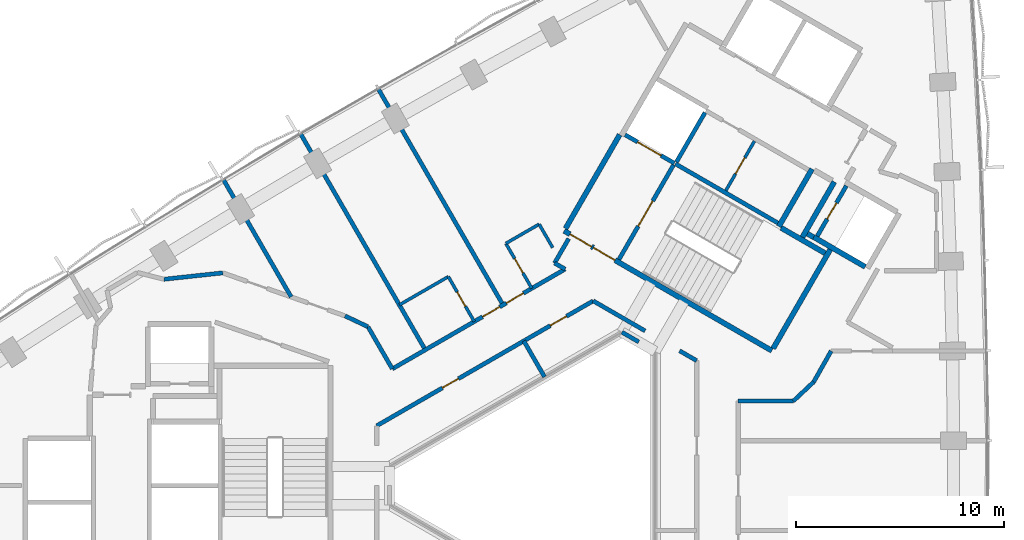
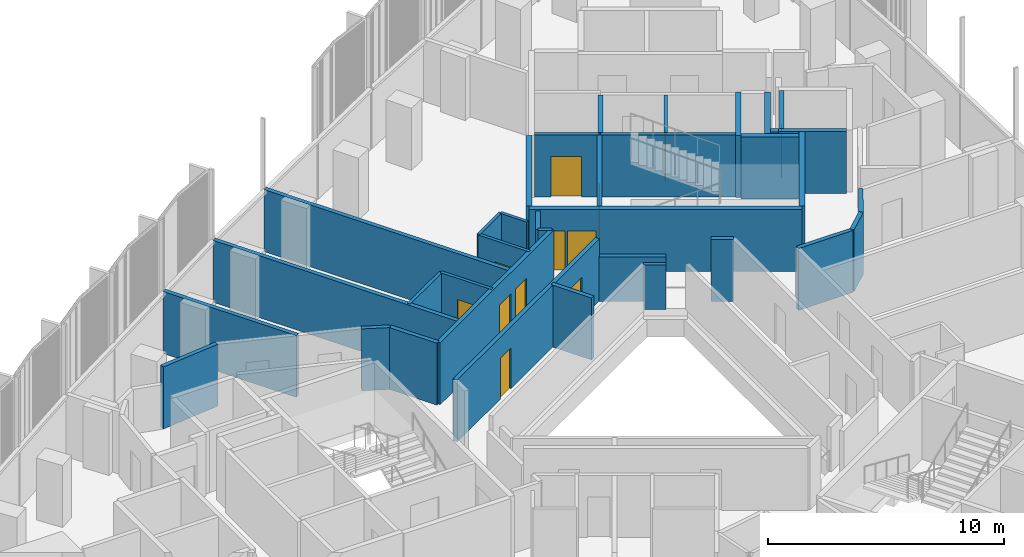
# One storey, part 11 of 15: 36 walls, 12 doors, 12 openings.
"""IFC4 building model written with IfcOpenShell, lengths in metres."""

from ifc_helpers import new_model, si_unit, direction, frame, frame_2d, origin, place, context, subcontext, project, spatial, rectangle, extrude, material, layer, layer_set, type_object, element, fill, save


model = new_model("IFC4")

# Units and contexts
model_context = context("Model", 3, precision=1e-05, world=origin(), true_north=direction((0.0, 1.0)))
body_context = subcontext(model_context, "Body", "Model", "MODEL_VIEW")
ifc_project = project(units=[si_unit("LENGTHUNIT", "METRE"), si_unit("AREAUNIT", "SQUARE_METRE"), si_unit("VOLUMEUNIT", "CUBIC_METRE"), si_unit("PLANEANGLEUNIT", "RADIAN"), si_unit("MASSUNIT", "GRAM", prefix="KILO")], contexts=[model_context])

# Site, building, storey
site_placement = place(None, origin())
site = spatial("IfcSite", under=ifc_project, at=site_placement, CompositionType="ELEMENT")
building_placement = place(site_placement, origin())
building = spatial("IfcBuilding", under=site, at=building_placement, Name="Tamra Quay Hotel Tower", CompositionType="ELEMENT")
storey_placement = place(building_placement, frame((0.0, 0.0, 128.800048828125)))
storey = spatial("IfcBuildingStorey", under=building, at=storey_placement, Name="L31", CompositionType="ELEMENT", Elevation=128.800048828125)

# Wall
ifc_material_1 = material(Name="Concrete M70", Category="concrete")
ifc_layer_1 = layer(ifc_material_1, 0.199951171875)
ifc_layer_set_1 = layer_set([ifc_layer_1], Name="Concrete M70 core wall 200")
wall_type_1 = type_object("IfcWallType", Name="Concrete M70 core wall 200", PredefinedType="SHEAR", material=ifc_layer_set_1)
wall_1_placement = place(storey_placement, frame((5.774658203125, 15.501953125, 0.0), z_axis=(0.0, 0.0, 1.0), x_axis=(0.866020080793, -0.500009219579, 0.0)))
element("IfcWall", 1, at=wall_1_placement, inside=storey, type_object=wall_type_1, Name="CW2", PredefinedType="SHEAR", context=body_context, shape_type="SweptSolid", body=[
    extrude(rectangle(XDim=5.69921875, YDim=0.199951171875, at=frame_2d((2.849609375, 0.0))), origin(), (0.0, 0.0, 1.0), 3.199951171875),
])

# Wall, opening, door
wall_2_placement = place(storey_placement, frame((3.056640625, 10.89453125, 0.0), z_axis=(0.0, 0.0, 1.0), x_axis=(0.499989418164, 0.866031513124, 0.0)))
wall_2 = element("IfcWall", 2, at=wall_2_placement, inside=storey, type_object=wall_type_1, Name="CW2", PredefinedType="SHEAR", context=body_context, shape_type="SweptSolid", body=[
    extrude(rectangle(XDim=5.2509765625, YDim=0.199951171875, at=frame_2d((2.62548828125, 0.0))), origin(), (0.0, 0.0, 1.0), 3.199951171875),
])
opening_1_placement = place(wall_2_placement, frame((1.84912109375, 0.0, 0.0)))
opening_1 = element("IfcOpeningElement", 3, at=opening_1_placement, cuts=wall_2, Name="Opening FD2", PredefinedType="OPENING", context=body_context, shape_type="SweptSolid", body=[
    extrude(rectangle(XDim=1.39990234375, YDim=2.10009765625, at=frame_2d((0.699951171875, 1.050048828125))), frame((0.0, 0.10986328125, 0.0), z_axis=(0.0, -1.0, 0.0), x_axis=(1.0, 0.0, 0.0)), (0.0, 0.0, 1.0), 0.219970703125),
])
ifc_material_2 = material(Name="Core door FD2 1400x2100 LH")
door_type_1 = type_object("IfcDoorType", Name="Core door FD2 1400x2100 LH", OperationType="NOTDEFINED", PredefinedType="DOOR", material=ifc_material_2)
door_1_placement = place(opening_1_placement, origin())
door_1 = element("IfcDoor", 4, at=door_1_placement, inside=storey, type_object=door_type_1, Name="FD2", OperationType="SINGLE_SWING_LEFT", OverallHeight=2.10009765625, OverallWidth=1.39990234375, PredefinedType="DOOR", context=body_context, shape_type="SweptSolid", body=[
    extrude(rectangle(XDim=1.39990234375, YDim=2.10009765625, at=frame_2d((0.699951171875, 1.050048828125))), frame((0.0, 0.02490234375, 0.0), z_axis=(0.0, -1.0, 0.0), x_axis=(1.0, 0.0, 0.0)), (0.0, 0.0, 1.0), 0.050048828125),
])
fill(opening_1, door_1)

wall_3_placement = place(storey_placement, frame((14.0078125, 14.442138671875, 0.0), z_axis=(0.0, 0.0, 1.0), x_axis=(-0.499986818241, -0.866033014143, 0.0)))
wall_3 = element("IfcWall", 5, at=wall_3_placement, inside=storey, type_object=wall_type_1, Name="CW2", PredefinedType="SHEAR", context=body_context, shape_type="SweptSolid", body=[
    extrude(rectangle(XDim=2.7978515625, YDim=0.199951171875, at=frame_2d((1.39892578125, 0.0))), origin(), (0.0, 0.0, 1.0), 3.199951171875),
])
opening_2_placement = place(wall_3_placement, frame((0.948974609375, 0.0, 0.0)))
opening_2 = element("IfcOpeningElement", 6, at=opening_2_placement, cuts=wall_3, Name="Opening D1", PredefinedType="OPENING", context=body_context, shape_type="SweptSolid", body=[
    extrude(rectangle(XDim=0.89990234375, YDim=2.10009765625, at=frame_2d((0.449951171875, 1.050048828125))), frame((0.0, 0.10986328125, 0.0), z_axis=(0.0, -1.0, 0.0), x_axis=(1.0, 0.0, 0.0)), (0.0, 0.0, 1.0), 0.219970703125),
])
ifc_material_3 = material(Name="Core door D1 900x2100 LH")
door_type_2 = type_object("IfcDoorType", Name="Core door D1 900x2100 LH", OperationType="NOTDEFINED", PredefinedType="DOOR", material=ifc_material_3)
door_2_placement = place(opening_2_placement, origin())
door_2 = element("IfcDoor", 7, at=door_2_placement, inside=storey, type_object=door_type_2, Name="D1", OperationType="SINGLE_SWING_LEFT", OverallHeight=2.10009765625, OverallWidth=0.89990234375, PredefinedType="DOOR", context=body_context, shape_type="SweptSolid", body=[
    extrude(rectangle(XDim=0.89990234375, YDim=2.10009765625, at=frame_2d((0.449951171875, 1.050048828125))), frame((0.0, 0.02490234375, 0.0), z_axis=(0.0, -1.0, 0.0), x_axis=(1.0, 0.0, 0.0)), (0.0, 0.0, 1.0), 0.050048828125),
])
fill(opening_2, door_2)

# Wall
wall_4_placement = place(storey_placement, frame((7.199462890625, 17.969970703125, 0.0), z_axis=(0.0, 0.0, 1.0), x_axis=(-0.499968400327, -0.866043647095, 0.0)))
element("IfcWall", 8, at=wall_4_placement, inside=storey, type_object=wall_type_1, Name="CW2", PredefinedType="SHEAR", context=body_context, shape_type="SweptSolid", body=[
    extrude(rectangle(XDim=2.749755859375, YDim=0.199951171875, at=frame_2d((1.375, 0.0))), origin(), (0.0, 0.0, 1.0), 3.199951171875),
])

# Wall, opening, door
wall_5_placement = place(storey_placement, frame((5.72509765625, 15.530517578125, 0.0), z_axis=(0.0, 0.0, 1.0), x_axis=(-0.866037306777, 0.499979382845, 0.0)))
wall_5 = element("IfcWall", 9, at=wall_5_placement, inside=storey, type_object=wall_type_1, Name="CW2", PredefinedType="SHEAR", context=body_context, shape_type="SweptSolid", body=[
    extrude(rectangle(XDim=2.74169921875, YDim=0.199951171875, at=frame_2d((1.370849609375, 0.0))), origin(), (0.0, 0.0, 1.0), 3.199951171875),
])
opening_3_placement = place(wall_5_placement, frame((0.742919921875, 0.0, 0.0)))
opening_3 = element("IfcOpeningElement", 10, at=opening_3_placement, cuts=wall_5, Name="Opening LD", PredefinedType="OPENING", context=body_context, shape_type="SweptSolid", body=[
    extrude(rectangle(XDim=1.300048828125, YDim=2.10009765625, at=frame_2d((0.64990234375, 1.050048828125))), frame((0.0, 0.10986328125, 0.0), z_axis=(0.0, -1.0, 0.0), x_axis=(1.0, 0.0, 0.0)), (0.0, 0.0, 1.0), 0.219970703125),
])
ifc_material_4 = material(Name="Landing door LD 1300 sliding to left")
door_type_3 = type_object("IfcDoorType", Name="Landing door LD 1300 sliding to left", OperationType="NOTDEFINED", PredefinedType="DOOR", material=ifc_material_4)
door_3_placement = place(opening_3_placement, origin())
door_3 = element("IfcDoor", 11, at=door_3_placement, inside=storey, type_object=door_type_3, Name="LD", OperationType="SLIDING_TO_LEFT", OverallHeight=2.10009765625, OverallWidth=1.300048828125, PredefinedType="DOOR", context=body_context, shape_type="SweptSolid", body=[
    extrude(rectangle(XDim=1.300048828125, YDim=2.10009765625, at=frame_2d((0.64990234375, 1.050048828125))), frame((0.0, 0.02490234375, 0.0), z_axis=(0.0, -1.0, 0.0), x_axis=(1.0, 0.0, 0.0)), (0.0, 0.0, 1.0), 0.050048828125),
])
fill(opening_3, door_3)

# Wall, openings, doors
ifc_layer_2 = layer(ifc_material_1, 0.25)
ifc_layer_set_2 = layer_set([ifc_layer_2], Name="Concrete M70 core wall 250")
wall_type_2 = type_object("IfcWallType", Name="Concrete M70 core wall 250", PredefinedType="SHEAR", material=ifc_layer_set_2)
wall_6_placement = place(storey_placement, frame((10.419921875, 6.497802734375, 0.0), z_axis=(0.0, 0.0, 1.0), x_axis=(-0.866021906294, 0.500006057782, 0.0)))
wall_6 = element("IfcWall", 12, at=wall_6_placement, inside=storey, type_object=wall_type_2, Name="CW1", PredefinedType="SHEAR", context=body_context, shape_type="SweptSolid", body=[
    extrude(rectangle(XDim=11.550048828125, YDim=0.25, at=frame_2d((5.77490234375, 0.0))), origin(), (0.0, 0.0, 1.0), 3.199951171875),
])
opening_4_placement = place(wall_6_placement, frame((10.02490234375, 0.0, 0.0)))
opening_4 = element("IfcOpeningElement", 13, at=opening_4_placement, cuts=wall_6, Name="Opening FD1", PredefinedType="OPENING", context=body_context, shape_type="SweptSolid", body=[
    extrude(rectangle(XDim=1.199951171875, YDim=2.10009765625, at=frame_2d((0.60009765625, 1.050048828125))), frame((0.0, 0.135009765625, 0.0), z_axis=(0.0, -1.0, 0.0), x_axis=(1.0, 0.0, 0.0)), (0.0, 0.0, 1.0), 0.27001953125),
])
opening_5_placement = place(wall_6_placement, frame((8.724853515625, 0.0, 0.0)))
opening_5 = element("IfcOpeningElement", 14, at=opening_5_placement, cuts=wall_6, Name="Opening FD1", PredefinedType="OPENING", context=body_context, shape_type="SweptSolid", body=[
    extrude(rectangle(XDim=1.199951171875, YDim=2.10009765625, at=frame_2d((0.60009765625, 1.050048828125))), frame((0.0, 0.135009765625, 0.0), z_axis=(0.0, -1.0, 0.0), x_axis=(1.0, 0.0, 0.0)), (0.0, 0.0, 1.0), 0.27001953125),
])
ifc_material_5 = material(Name="Core door FD1 1200x2100 LH")
door_type_4 = type_object("IfcDoorType", Name="Core door FD1 1200x2100 LH", OperationType="NOTDEFINED", PredefinedType="DOOR", material=ifc_material_5)
door_4_placement = place(opening_4_placement, origin())
door_4 = element("IfcDoor", 15, at=door_4_placement, inside=storey, type_object=door_type_4, Name="FD1", OperationType="SINGLE_SWING_LEFT", OverallHeight=2.10009765625, OverallWidth=1.199951171875, PredefinedType="DOOR", context=body_context, shape_type="SweptSolid", body=[
    extrude(rectangle(XDim=1.199951171875, YDim=2.10009765625, at=frame_2d((0.60009765625, 1.050048828125))), frame((0.0, 0.02490234375, 0.0), z_axis=(0.0, -1.0, 0.0), x_axis=(1.0, 0.0, 0.0)), (0.0, 0.0, 1.0), 0.050048828125),
])
fill(opening_4, door_4)
ifc_material_6 = material(Name="Core door FD1 1200x2100 RH")
door_type_5 = type_object("IfcDoorType", Name="Core door FD1 1200x2100 RH", OperationType="NOTDEFINED", PredefinedType="DOOR", material=ifc_material_6)
door_5_placement = place(opening_5_placement, origin())
door_5 = element("IfcDoor", 16, at=door_5_placement, inside=storey, type_object=door_type_5, Name="FD1", OperationType="SINGLE_SWING_RIGHT", OverallHeight=2.10009765625, OverallWidth=1.199951171875, PredefinedType="DOOR", context=body_context, shape_type="SweptSolid", body=[
    extrude(rectangle(XDim=1.199951171875, YDim=2.10009765625, at=frame_2d((0.60009765625, 1.050048828125))), frame((0.0, 0.02490234375, 0.0), z_axis=(0.0, -1.0, 0.0), x_axis=(1.0, 0.0, 0.0)), (0.0, 0.0, 1.0), 0.050048828125),
])
fill(opening_5, door_5)

# Walls
wall_7_placement = place(storey_placement, frame((0.47998046875, 12.38134765625, 0.0), z_axis=(0.0, 0.0, 1.0), x_axis=(0.49999885962, 0.866026062182, 0.0)))
element("IfcWall", 17, at=wall_7_placement, inside=storey, type_object=wall_type_2, Name="CW1", PredefinedType="SHEAR", context=body_context, shape_type="SweptSolid", body=[
    extrude(rectangle(XDim=5.224609375, YDim=0.25, at=frame_2d((2.6123046875, 0.0))), origin(), (0.0, 0.0, 1.0), 3.199951171875),
])
wall_8_placement = place(storey_placement, frame((13.237548828125, 11.3779296875, 0.0), z_axis=(0.0, 0.0, 1.0), x_axis=(-0.500008851346, -0.866020293397, 0.0)))
element("IfcWall", 18, at=wall_8_placement, inside=storey, type_object=wall_type_2, Name="CW1", PredefinedType="SHEAR", context=body_context, shape_type="SweptSolid", body=[
    extrude(rectangle(XDim=5.509765625, YDim=0.25, at=frame_2d((2.7548828125, 0.0))), origin(), (0.0, 0.0, 1.0), 3.199951171875),
])
wall_9_placement = place(storey_placement, frame((12.356689453125, 15.25244140625, 0.0), z_axis=(0.0, 0.0, 1.0), x_axis=(-0.500028443584, -0.866008981251, 0.0)))
element("IfcWall", 19, at=wall_9_placement, inside=storey, type_object=wall_type_2, Name="CW1", PredefinedType="SHEAR", context=body_context, shape_type="SweptSolid", body=[
    extrude(rectangle(XDim=3.199951171875, YDim=0.25, at=frame_2d((1.60009765625, 0.0))), origin(), (0.0, 0.0, 1.0), 3.199951171875),
])
wall_10_placement = place(storey_placement, frame((14.91845703125, 10.540283203125, 0.0), z_axis=(0.0, 0.0, 1.0), x_axis=(-0.866063538972, 0.499933942099, 0.0)))
element("IfcWall", 20, at=wall_10_placement, inside=storey, type_object=wall_type_2, Name="CW1", PredefinedType="SHEAR", context=body_context, shape_type="SweptSolid", body=[
    extrude(rectangle(XDim=2.86474609375, YDim=0.25, at=frame_2d((1.432373046875, 0.0))), origin(), (0.0, 0.0, 1.0), 3.199951171875),
])
wall_11_placement = place(storey_placement, frame((11.887939453125, 11.960693359375, 0.0), z_axis=(0.0, 0.0, 1.0), x_axis=(0.500003324108, 0.866023484601, 0.0)))
element("IfcWall", 21, at=wall_11_placement, inside=storey, type_object=wall_type_2, Name="CW1", PredefinedType="SHEAR", context=body_context, shape_type="SweptSolid", body=[
    extrude(rectangle(XDim=3.0849609375, YDim=0.25, at=frame_2d((1.54248046875, 0.0))), origin(), (0.0, 0.0, 1.0), 3.199951171875),
])
wall_12_placement = place(storey_placement, frame((10.865234375, 12.41845703125, 0.0), z_axis=(0.0, 0.0, 1.0), x_axis=(0.866026229868, -0.499998569178, 0.0)))
element("IfcWall", 22, at=wall_12_placement, inside=storey, type_object=wall_type_2, Name="CW1", PredefinedType="SHEAR", context=body_context, shape_type="SweptSolid", body=[
    extrude(rectangle(XDim=2.44921875, YDim=0.25, at=frame_2d((1.224609375, 0.0))), origin(), (0.0, 0.0, 1.0), 3.199951171875),
])
wall_13_placement = place(storey_placement, frame((12.4326171875, 11.9638671875, 0.0), z_axis=(0.0, 0.0, 1.0), x_axis=(-0.866055875208, 0.499947218231, 0.0)))
element("IfcWall", 23, at=wall_13_placement, inside=storey, type_object=wall_type_2, Name="CW1", PredefinedType="SHEAR", context=body_context, shape_type="SweptSolid", body=[
    extrude(rectangle(XDim=0.3447265625, YDim=0.25, at=frame_2d((0.17236328125, 0.0))), origin(), (0.0, 0.0, 1.0), 3.199951171875),
])

# Wall, opening, door
ifc_material_7 = material(Name="Blockwork", Category="masonry")
ifc_layer_3 = layer(ifc_material_7, 0.14990234375)
ifc_layer_set_3 = layer_set([ifc_layer_3], Name="Core partition block 150")
wall_type_3 = type_object("IfcWallType", Name="Core partition block 150", PredefinedType="PARTITIONING", material=ifc_layer_set_3)
wall_14_placement = place(storey_placement, frame((8.20654296875, 14.214111328125, 0.0), z_axis=(0.0, 0.0, 1.0), x_axis=(0.499922376475, 0.866070215109, 0.0)))
wall_14 = element("IfcWall", 24, at=wall_14_placement, inside=storey, type_object=wall_type_3, Name="CP1", PredefinedType="PARTITIONING", context=body_context, shape_type="SweptSolid", body=[
    extrude(rectangle(XDim=2.74853515625, YDim=0.14990234375, at=frame_2d((1.374267578125, 0.0))), origin(), (0.0, 0.0, 1.0), 3.199951171875),
])
opening_6_placement = place(wall_14_placement, frame((0.92431640625, 0.0, 0.0)))
opening_6 = element("IfcOpeningElement", 25, at=opening_6_placement, cuts=wall_14, Name="Opening D2", PredefinedType="OPENING", context=body_context, shape_type="SweptSolid", body=[
    extrude(rectangle(XDim=0.89990234375, YDim=2.10009765625, at=frame_2d((0.449951171875, 1.050048828125))), frame((0.0, 0.0849609375, 0.0), z_axis=(0.0, -1.0, 0.0), x_axis=(1.0, 0.0, 0.0)), (0.0, 0.0, 1.0), 0.169921875),
])
ifc_material_8 = material(Name="Core door D2 900x2100 RH")
door_type_6 = type_object("IfcDoorType", Name="Core door D2 900x2100 RH", OperationType="NOTDEFINED", PredefinedType="DOOR", material=ifc_material_8)
door_6_placement = place(opening_6_placement, origin())
door_6 = element("IfcDoor", 26, at=door_6_placement, inside=storey, type_object=door_type_6, Name="D2", OperationType="SINGLE_SWING_RIGHT", OverallHeight=2.10009765625, OverallWidth=0.89990234375, PredefinedType="DOOR", context=body_context, shape_type="SweptSolid", body=[
    extrude(rectangle(XDim=0.89990234375, YDim=2.10009765625, at=frame_2d((0.449951171875, 1.050048828125))), frame((0.0, 0.02490234375, 0.0), z_axis=(0.0, -1.0, 0.0), x_axis=(1.0, 0.0, 0.0)), (0.0, 0.0, 1.0), 0.050048828125),
])
fill(opening_6, door_6)

# Walls
ifc_material_9 = material(Name="Partition corridor wall")
ifc_layer_4 = layer(ifc_material_9, 0.199951171875)
ifc_layer_set_4 = layer_set([ifc_layer_4], Name="Partition corridor wall")
wall_type_4 = type_object("IfcWallType", Name="Partition corridor wall", PredefinedType="PARTITIONING", material=ifc_layer_set_4)
wall_15_placement = place(storey_placement, frame((-18.864990234375, 9.94091796875, 0.0), z_axis=(0.0, 0.0, 1.0), x_axis=(0.99423123086, 0.107257911519, 0.0)))
element("IfcWall", 27, at=wall_15_placement, inside=storey, type_object=wall_type_4, Name="W-C", PredefinedType="PARTITIONING", context=body_context, shape_type="SweptSolid", body=[
    extrude(rectangle(XDim=2.854248046875, YDim=0.199951171875, at=frame_2d((1.42724609375, 0.0))), origin(), (0.0, 0.0, 1.0), 3.199951171875),
])
wall_16_placement = place(storey_placement, frame((-10.14111328125, 8.176025390625, 0.0), z_axis=(0.0, 0.0, 1.0), x_axis=(0.903904169039, -0.427735026849, 0.0)))
element("IfcWall", 28, at=wall_16_placement, inside=storey, type_object=wall_type_4, Name="W-C", PredefinedType="PARTITIONING", context=body_context, shape_type="SweptSolid", body=[
    extrude(rectangle(XDim=1.224853515625, YDim=0.199951171875, at=frame_2d((0.6123046875, 0.0))), origin(), (0.0, 0.0, 1.0), 3.199951171875),
])
wall_17_placement = place(storey_placement, frame((-9.032958984375, 7.65087890625, 0.0), z_axis=(0.0, 0.0, 1.0), x_axis=(0.500354010599, -0.865820919173, 0.0)))
element("IfcWall", 29, at=wall_17_placement, inside=storey, type_object=wall_type_4, Name="W-C", PredefinedType="PARTITIONING", context=body_context, shape_type="SweptSolid", body=[
    extrude(rectangle(XDim=2.342041015625, YDim=0.199951171875, at=frame_2d((1.1708984375, 0.0))), origin(), (0.0, 0.0, 1.0), 3.199951171875),
])

# Wall, openings, doors
wall_18_placement = place(storey_placement, frame((-8.61279296875, 2.88134765625, 0.0), z_axis=(0.0, 0.0, 1.0), x_axis=(0.866103179807, 0.499865263774, 0.0)))
wall_18 = element("IfcWall", 30, at=wall_18_placement, inside=storey, type_object=wall_type_4, Name="W-C", PredefinedType="PARTITIONING", context=body_context, shape_type="SweptSolid", body=[
    extrude(rectangle(XDim=12.036376953125, YDim=0.199951171875, at=frame_2d((6.01806640625, 0.0))), origin(), (0.0, 0.0, 1.0), 3.199951171875),
])
opening_7_placement = place(wall_18_placement, frame((9.65185546875, 0.0, 0.0)))
opening_7 = element("IfcOpeningElement", 31, at=opening_7_placement, cuts=wall_18, Name="Opening L31-D026", PredefinedType="OPENING", context=body_context, shape_type="SweptSolid", body=[
    extrude(rectangle(XDim=0.89990234375, YDim=2.10009765625, at=frame_2d((0.449951171875, 1.050048828125))), frame((0.0, 0.10986328125, 0.0), z_axis=(0.0, -1.0, 0.0), x_axis=(1.0, 0.0, 0.0)), (0.0, 0.0, 1.0), 0.219970703125),
])
opening_8_placement = place(wall_18_placement, frame((3.6455078125, 0.0, 0.0)))
opening_8 = element("IfcOpeningElement", 32, at=opening_8_placement, cuts=wall_18, Name="Opening L31-D027", PredefinedType="OPENING", context=body_context, shape_type="SweptSolid", body=[
    extrude(rectangle(XDim=0.89990234375, YDim=2.10009765625, at=frame_2d((0.449951171875, 1.050048828125))), frame((0.0, 0.10986328125, 0.0), z_axis=(0.0, -1.0, 0.0), x_axis=(1.0, 0.0, 0.0)), (0.0, 0.0, 1.0), 0.219970703125),
])
ifc_material_10 = material(Name="Door service room 900x2100")
door_type_7 = type_object("IfcDoorType", Name="Door service room 900x2100", OperationType="NOTDEFINED", PredefinedType="DOOR", material=ifc_material_10)
door_7_placement = place(opening_7_placement, frame((0.89990234375, 0.0, 0.0), z_axis=(0.0, 0.0, 1.0), x_axis=(-1.0, 0.0, 0.0)))
door_7 = element("IfcDoor", 33, at=door_7_placement, inside=storey, type_object=door_type_7, Name="L31-D026", OperationType="SINGLE_SWING_LEFT", OverallHeight=2.10009765625, OverallWidth=0.89990234375, PredefinedType="DOOR", context=body_context, shape_type="SweptSolid", body=[
    extrude(rectangle(XDim=0.89990234375, YDim=2.10009765625, at=frame_2d((0.449951171875, 1.050048828125))), frame((0.0, 0.02490234375, 0.0), z_axis=(0.0, -1.0, 0.0), x_axis=(1.0, 0.0, 0.0)), (0.0, 0.0, 1.0), 0.050048828125),
])
fill(opening_7, door_7)
door_8_placement = place(opening_8_placement, frame((0.89990234375, 0.0, 0.0), z_axis=(0.0, 0.0, 1.0), x_axis=(-1.0, 0.0, 0.0)))
door_8 = element("IfcDoor", 34, at=door_8_placement, inside=storey, type_object=door_type_7, Name="L31-D027", OperationType="SINGLE_SWING_LEFT", OverallHeight=2.10009765625, OverallWidth=0.89990234375, PredefinedType="DOOR", context=body_context, shape_type="SweptSolid", body=[
    extrude(rectangle(XDim=0.89990234375, YDim=2.10009765625, at=frame_2d((0.449951171875, 1.050048828125))), frame((0.0, 0.02490234375, 0.0), z_axis=(0.0, -1.0, 0.0), x_axis=(1.0, 0.0, 0.0)), (0.0, 0.0, 1.0), 0.050048828125),
])
fill(opening_8, door_8)

wall_19_placement = place(storey_placement, frame((-7.861572265625, 5.624267578125, 0.0), z_axis=(0.0, 0.0, 1.0), x_axis=(0.866109024618, 0.499855136491, 0.0)))
wall_19 = element("IfcWall", 35, at=wall_19_placement, inside=storey, type_object=wall_type_4, Name="W-C", PredefinedType="PARTITIONING", context=body_context, shape_type="SweptSolid", body=[
    extrude(rectangle(XDim=9.610107421875, YDim=0.199951171875, at=frame_2d((4.80517578125, 0.0))), origin(), (0.0, 0.0, 1.0), 3.199951171875),
])
opening_9_placement = place(wall_19_placement, frame((6.345458984375, 0.0, 0.0)))
opening_9 = element("IfcOpeningElement", 36, at=opening_9_placement, cuts=wall_19, Name="Opening L31-D006", PredefinedType="OPENING", context=body_context, shape_type="SweptSolid", body=[
    extrude(rectangle(XDim=0.949951171875, YDim=2.10009765625, at=frame_2d((0.47509765625, 1.050048828125))), frame((0.0, 0.10986328125, 0.0), z_axis=(0.0, -1.0, 0.0), x_axis=(1.0, 0.0, 0.0)), (0.0, 0.0, 1.0), 0.219970703125),
])
opening_10_placement = place(wall_19_placement, frame((5.019775390625, 0.0, 0.0)))
opening_10 = element("IfcOpeningElement", 37, at=opening_10_placement, cuts=wall_19, Name="Opening L31-D008", PredefinedType="OPENING", context=body_context, shape_type="SweptSolid", body=[
    extrude(rectangle(XDim=0.949951171875, YDim=2.10009765625, at=frame_2d((0.47509765625, 1.050048828125))), frame((0.0, 0.10986328125, 0.0), z_axis=(0.0, -1.0, 0.0), x_axis=(1.0, 0.0, 0.0)), (0.0, 0.0, 1.0), 0.219970703125),
])
ifc_material_11 = material(Name="Door guest room 950x2100")
door_type_8 = type_object("IfcDoorType", Name="Door guest room 950x2100", OperationType="NOTDEFINED", PredefinedType="DOOR", material=ifc_material_11)
door_9_placement = place(opening_9_placement, origin())
door_9 = element("IfcDoor", 38, at=door_9_placement, inside=storey, type_object=door_type_8, Name="L31-D006", OperationType="SINGLE_SWING_LEFT", OverallHeight=2.10009765625, OverallWidth=0.949951171875, PredefinedType="DOOR", context=body_context, shape_type="SweptSolid", body=[
    extrude(rectangle(XDim=0.949951171875, YDim=2.10009765625, at=frame_2d((0.47509765625, 1.050048828125))), frame((0.0, 0.02490234375, 0.0), z_axis=(0.0, -1.0, 0.0), x_axis=(1.0, 0.0, 0.0)), (0.0, 0.0, 1.0), 0.050048828125),
])
fill(opening_9, door_9)
door_10_placement = place(opening_10_placement, origin())
door_10 = element("IfcDoor", 39, at=door_10_placement, inside=storey, type_object=door_type_8, Name="L31-D008", OperationType="SINGLE_SWING_LEFT", OverallHeight=2.10009765625, OverallWidth=0.949951171875, PredefinedType="DOOR", context=body_context, shape_type="SweptSolid", body=[
    extrude(rectangle(XDim=0.949951171875, YDim=2.10009765625, at=frame_2d((0.47509765625, 1.050048828125))), frame((0.0, 0.02490234375, 0.0), z_axis=(0.0, -1.0, 0.0), x_axis=(1.0, 0.0, 0.0)), (0.0, 0.0, 1.0), 0.050048828125),
])
fill(opening_10, door_10)

# Walls
wall_20_placement = place(storey_placement, frame((-0.044921875, 10.720947265625, 0.0), z_axis=(0.0, 0.0, 1.0), x_axis=(0.865768710998, -0.500444341617, 0.0)))
element("IfcWall", 40, at=wall_20_placement, inside=storey, type_object=wall_type_4, Name="W-C", PredefinedType="PARTITIONING", context=body_context, shape_type="SweptSolid", body=[
    extrude(rectangle(XDim=0.58544921875, YDim=0.199951171875, at=frame_2d((0.292724609375, 0.0))), origin(), (0.0, 0.0, 1.0), 3.199951171875),
])
wall_21_placement = place(storey_placement, frame((-0.04443359375, 10.7216796875, 0.0), z_axis=(0.0, 0.0, 1.0), x_axis=(0.500034408226, 0.866005537274, 0.0)))
element("IfcWall", 41, at=wall_21_placement, inside=storey, type_object=wall_type_4, Name="W-C", PredefinedType="PARTITIONING", context=body_context, shape_type="SweptSolid", body=[
    extrude(rectangle(XDim=1.35498046875, YDim=0.199951171875, at=frame_2d((0.677490234375, 0.0))), origin(), (0.0, 0.0, 1.0), 3.199951171875),
])
wall_22_placement = place(storey_placement, frame((1.812744140625, 8.899169921875, 0.0), z_axis=(0.0, 0.0, 1.0), x_axis=(0.865957732194, -0.50011719232, 0.0)))
element("IfcWall", 42, at=wall_22_placement, inside=storey, type_object=wall_type_4, Name="W-C", PredefinedType="PARTITIONING", context=body_context, shape_type="SweptSolid", body=[
    extrude(rectangle(XDim=2.890869140625, YDim=0.199951171875, at=frame_2d((1.4453125, 0.0))), origin(), (0.0, 0.0, 1.0), 2.300048828125),
])
wall_23_placement = place(storey_placement, frame((5.97412109375, 6.49609375, 0.0), z_axis=(0.0, 0.0, 1.0), x_axis=(0.865934055563, -0.500158186394, 0.0)))
element("IfcWall", 43, at=wall_23_placement, inside=storey, type_object=wall_type_4, Name="W-C", PredefinedType="PARTITIONING", context=body_context, shape_type="SweptSolid", body=[
    extrude(rectangle(XDim=0.953857421875, YDim=0.199951171875, at=frame_2d((0.47705078125, 0.0))), origin(), (0.0, 0.0, 1.0), 3.199951171875),
])
wall_24_placement = place(storey_placement, frame((8.800048828125, 4.077880859375, 0.0), z_axis=(0.0, 0.0, 1.0), x_axis=(1.0, 0.0, 0.0)))
element("IfcWall", 44, at=wall_24_placement, inside=storey, type_object=wall_type_4, Name="W-C", PredefinedType="PARTITIONING", context=body_context, shape_type="SweptSolid", body=[
    extrude(rectangle(XDim=2.657958984375, YDim=0.199951171875, at=frame_2d((1.3291015625, 0.0))), origin(), (0.0, 0.0, 1.0), 3.199951171875),
])
wall_25_placement = place(storey_placement, frame((11.4580078125, 4.077880859375, 0.0), z_axis=(0.0, 0.0, 1.0), x_axis=(0.729936032318, 0.683515463412, 0.0)))
element("IfcWall", 45, at=wall_25_placement, inside=storey, type_object=wall_type_4, Name="W-C", PredefinedType="PARTITIONING", context=body_context, shape_type="SweptSolid", body=[
    extrude(rectangle(XDim=1.3359375, YDim=0.199951171875, at=frame_2d((0.66796875, 0.0))), origin(), (0.0, 0.0, 1.0), 3.199951171875),
])
wall_26_placement = place(storey_placement, frame((12.43310546875, 4.991943359375, 0.0), z_axis=(0.0, 0.0, 1.0), x_axis=(0.492807777065, 0.870138204462, 0.0)))
element("IfcWall", 46, at=wall_26_placement, inside=storey, type_object=wall_type_4, Name="W-C", PredefinedType="PARTITIONING", context=body_context, shape_type="SweptSolid", body=[
    extrude(rectangle(XDim=1.714599609375, YDim=0.199951171875, at=frame_2d((0.857421875, 0.0))), origin(), (0.0, 0.0, 1.0), 3.199951171875),
])
ifc_material_12 = material(Name="Partition en-suite wall")
ifc_layer_5 = layer(ifc_material_12, 0.14990234375)
ifc_layer_set_5 = layer_set([ifc_layer_5], Name="Partition en-suite wall")
wall_type_5 = type_object("IfcWallType", Name="Partition en-suite wall", PredefinedType="PARTITIONING", material=ifc_layer_set_5)
wall_27_placement = place(storey_placement, frame((-7.521728515625, 8.704345703125, 0.0), z_axis=(0.0, 0.0, 1.0), x_axis=(0.865972067821, 0.500092369221, 0.0)))
element("IfcWall", 47, at=wall_27_placement, inside=storey, type_object=wall_type_5, Name="W-E", PredefinedType="PARTITIONING", context=body_context, shape_type="SweptSolid", body=[
    extrude(rectangle(XDim=2.72314453125, YDim=0.14990234375, at=frame_2d((1.361572265625, 0.0))), origin(), (0.0, 0.0, 1.0), 3.199951171875),
])

# Wall, opening, door
wall_28_placement = place(storey_placement, frame((-5.1640625, 10.06689453125, 0.0), z_axis=(0.0, 0.0, 1.0), x_axis=(0.500046524342, -0.865998541277, 0.0)))
wall_28 = element("IfcWall", 48, at=wall_28_placement, inside=storey, type_object=wall_type_5, Name="W-E", PredefinedType="PARTITIONING", context=body_context, shape_type="SweptSolid", body=[
    extrude(rectangle(XDim=2.499755859375, YDim=0.14990234375, at=frame_2d((1.25, 0.0))), origin(), (0.0, 0.0, 1.0), 3.199951171875),
])
opening_11_placement = place(wall_28_placement, frame((0.850341796875, 0.0, 0.0)))
opening_11 = element("IfcOpeningElement", 49, at=opening_11_placement, cuts=wall_28, Name="Opening L31-D009", PredefinedType="OPENING", context=body_context, shape_type="SweptSolid", body=[
    extrude(rectangle(XDim=0.800048828125, YDim=2.10009765625, at=frame_2d((0.39990234375, 1.050048828125))), frame((0.0, 0.0849609375, 0.0), z_axis=(0.0, -1.0, 0.0), x_axis=(1.0, 0.0, 0.0)), (0.0, 0.0, 1.0), 0.169921875),
])
ifc_material_13 = material(Name="Door en-suite 800x2100")
door_type_9 = type_object("IfcDoorType", Name="Door en-suite 800x2100", OperationType="NOTDEFINED", PredefinedType="DOOR", material=ifc_material_13)
door_11_placement = place(opening_11_placement, frame((0.800048828125, 0.0, 0.0), z_axis=(0.0, 0.0, 1.0), x_axis=(-1.0, 0.0, 0.0)))
door_11 = element("IfcDoor", 50, at=door_11_placement, inside=storey, type_object=door_type_9, Name="L31-D009", OperationType="SINGLE_SWING_LEFT", OverallHeight=2.10009765625, OverallWidth=0.800048828125, PredefinedType="DOOR", context=body_context, shape_type="SweptSolid", body=[
    extrude(rectangle(XDim=0.800048828125, YDim=2.10009765625, at=frame_2d((0.39990234375, 1.050048828125))), frame((0.0, 0.02490234375, 0.0), z_axis=(0.0, -1.0, 0.0), x_axis=(1.0, 0.0, 0.0)), (0.0, 0.0, 1.0), 0.050048828125),
])
fill(opening_11, door_11)

wall_29_placement = place(storey_placement, frame((-2.39111328125, 11.6650390625, 0.0), z_axis=(0.0, 0.0, 1.0), x_axis=(0.500049599607, -0.865996765544, 0.0)))
wall_29 = element("IfcWall", 51, at=wall_29_placement, inside=storey, type_object=wall_type_5, Name="W-E", PredefinedType="PARTITIONING", context=body_context, shape_type="SweptSolid", body=[
    extrude(rectangle(XDim=2.497802734375, YDim=0.14990234375, at=frame_2d((1.2490234375, 0.0))), origin(), (0.0, 0.0, 1.0), 3.199951171875),
])
opening_12_placement = place(wall_29_placement, frame((0.84765625, 0.0, 0.0)))
opening_12 = element("IfcOpeningElement", 52, at=opening_12_placement, cuts=wall_29, Name="Opening L31-D007", PredefinedType="OPENING", context=body_context, shape_type="SweptSolid", body=[
    extrude(rectangle(XDim=0.800048828125, YDim=2.10009765625, at=frame_2d((0.39990234375, 1.050048828125))), frame((0.0, 0.0849609375, 0.0), z_axis=(0.0, -1.0, 0.0), x_axis=(1.0, 0.0, 0.0)), (0.0, 0.0, 1.0), 0.169921875),
])
door_12_placement = place(opening_12_placement, origin())
door_12 = element("IfcDoor", 53, at=door_12_placement, inside=storey, type_object=door_type_9, Name="L31-D007", OperationType="SINGLE_SWING_LEFT", OverallHeight=2.10009765625, OverallWidth=0.800048828125, PredefinedType="DOOR", context=body_context, shape_type="SweptSolid", body=[
    extrude(rectangle(XDim=0.800048828125, YDim=2.10009765625, at=frame_2d((0.39990234375, 1.050048828125))), frame((0.0, 0.02490234375, 0.0), z_axis=(0.0, -1.0, 0.0), x_axis=(1.0, 0.0, 0.0)), (0.0, 0.0, 1.0), 0.050048828125),
])
fill(opening_12, door_12)

# Walls
wall_30_placement = place(storey_placement, frame((-2.389892578125, 11.66796875, 0.0), z_axis=(0.0, 0.0, 1.0), x_axis=(0.865932482239, 0.500160910312, 0.0)))
element("IfcWall", 54, at=wall_30_placement, inside=storey, type_object=wall_type_5, Name="W-E", PredefinedType="PARTITIONING", context=body_context, shape_type="SweptSolid", body=[
    extrude(rectangle(XDim=1.84765625, YDim=0.14990234375, at=frame_2d((0.923828125, 0.0))), origin(), (0.0, 0.0, 1.0), 3.199951171875),
])
wall_31_placement = place(storey_placement, frame((-0.787109375, 12.591064453125, 0.0), z_axis=(0.0, 0.0, 1.0), x_axis=(0.499749509877, -0.866169976031, 0.0)))
element("IfcWall", 55, at=wall_31_placement, inside=storey, type_object=wall_type_5, Name="W-E", PredefinedType="PARTITIONING", context=body_context, shape_type="SweptSolid", body=[
    extrude(rectangle(XDim=1.302001953125, YDim=0.14990234375, at=frame_2d((0.65087890625, 0.0))), origin(), (0.0, 0.0, 1.0), 3.199951171875),
])
ifc_material_14 = material(Name="Partition party wall")
ifc_layer_6 = layer(ifc_material_14, 0.199951171875)
ifc_layer_set_6 = layer_set([ifc_layer_6], Name="Partition party wall")
wall_type_6 = type_object("IfcWallType", Name="Partition party wall", PredefinedType="PARTITIONING", material=ifc_layer_set_6)
wall_32_placement = place(storey_placement, frame((-15.996337890625, 14.73974609375, 0.0), z_axis=(0.0, 0.0, 1.0), x_axis=(0.499925398456, -0.866068470722, 0.0)))
element("IfcWall", 56, at=wall_32_placement, inside=storey, type_object=wall_type_6, Name="W-P", PredefinedType="PARTITIONING", context=body_context, shape_type="SweptSolid", body=[
    extrude(rectangle(XDim=6.52587890625, YDim=0.199951171875, at=frame_2d((3.262939453125, 0.0))), origin(), (0.0, 0.0, 1.0), 3.199951171875),
])
wall_33_placement = place(storey_placement, frame((-12.278564453125, 16.94580078125, 0.0), z_axis=(0.0, 0.0, 1.0), x_axis=(0.499902454835, -0.866081714187, 0.0)))
element("IfcWall", 57, at=wall_33_placement, inside=storey, type_object=wall_type_6, Name="W-P", PredefinedType="PARTITIONING", context=body_context, shape_type="SweptSolid", body=[
    extrude(rectangle(XDim=12.01513671875, YDim=0.199951171875, at=frame_2d((6.007568359375, 0.0))), origin(), (0.0, 0.0, 1.0), 3.199951171875),
])
wall_34_placement = place(storey_placement, frame((-8.535400390625, 19.10693359375, 0.0), z_axis=(0.0, 0.0, 1.0), x_axis=(0.499972843048, -0.86604108229, 0.0)))
element("IfcWall", 58, at=wall_34_placement, inside=storey, type_object=wall_type_6, Name="W-P", PredefinedType="PARTITIONING", context=body_context, shape_type="SweptSolid", body=[
    extrude(rectangle(XDim=12.013427734375, YDim=0.199951171875, at=frame_2d((6.0068359375, 0.0))), origin(), (0.0, 0.0, 1.0), 3.199951171875),
])
wall_35_placement = place(storey_placement, frame((-1.52783203125, 6.968994140625, 0.0), z_axis=(0.0, 0.0, 1.0), x_axis=(0.500000846469, -0.866024915075, 0.0)))
element("IfcWall", 59, at=wall_35_placement, inside=storey, type_object=wall_type_6, Name="W-P", PredefinedType="PARTITIONING", context=body_context, shape_type="SweptSolid", body=[
    extrude(rectangle(XDim=1.9990234375, YDim=0.199951171875, at=frame_2d((0.99951171875, 0.0))), origin(), (0.0, 0.0, 1.0), 3.199951171875),
])
wall_36_placement = place(storey_placement, frame((3.199951171875, 7.389892578125, 0.0), z_axis=(0.0, 0.0, 1.0), x_axis=(0.865985641702, -0.500068863623, 0.0)))
element("IfcWall", 60, at=wall_36_placement, inside=storey, type_object=wall_type_6, Name="W-P", PredefinedType="PARTITIONING", context=body_context, shape_type="SweptSolid", body=[
    extrude(rectangle(XDim=0.935302734375, YDim=0.199951171875, at=frame_2d((0.4677734375, 0.0))), origin(), (0.0, 0.0, 1.0), 2.300048828125),
])

save(model, "model.ifc")
